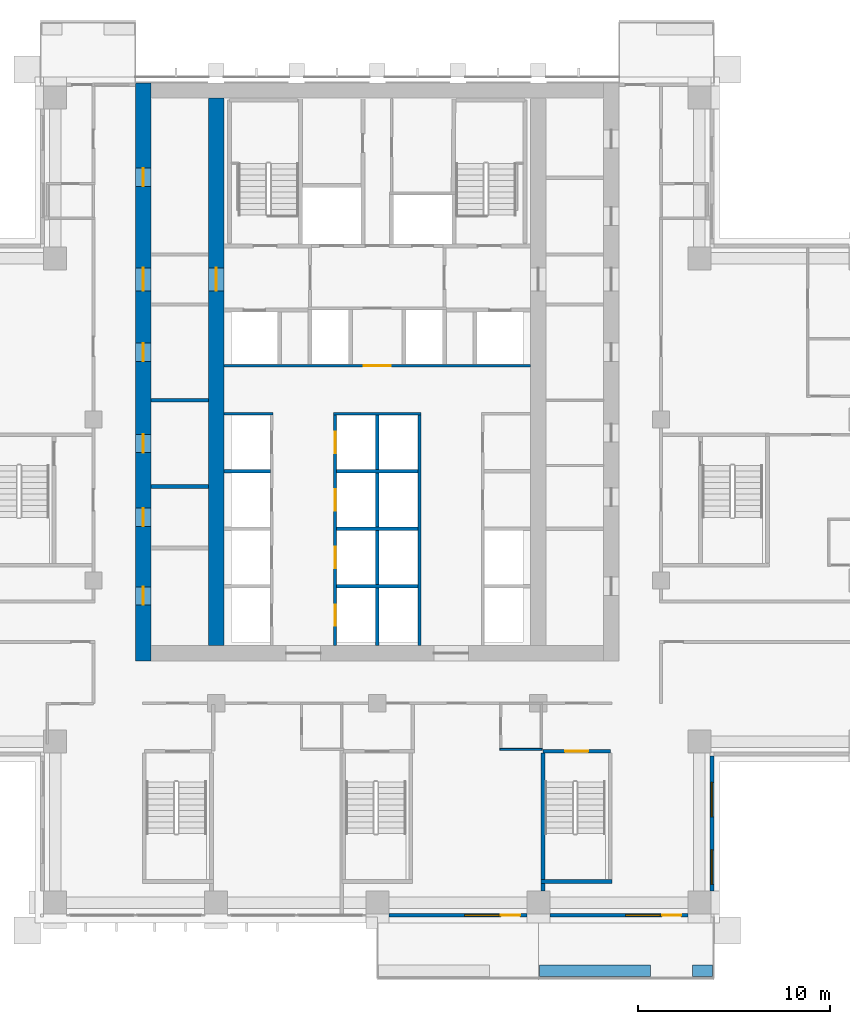
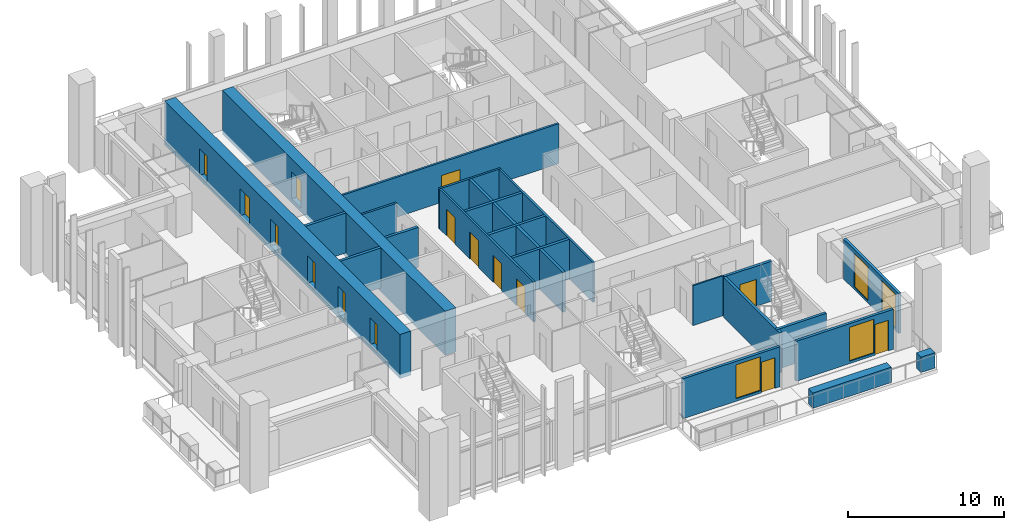
# One storey, part 10 of 19: 23 walls, 15 doors, 4 windows, 19 openings.
"""IFC4 building model written with IfcOpenShell, lengths in metres."""

from ifc_helpers import new_model, si_unit, direction, frame, frame_2d, origin, place, context, subcontext, project, spatial, rectangle, extrude, material, layer, layer_set, type_object, element, fill, save


model = new_model("IFC4")

# Units and contexts
model_context = context("Model", 3, precision=1e-05, world=origin(), true_north=direction((0.0, 1.0)))
body_context = subcontext(model_context, "Body", "Model", "MODEL_VIEW")
ifc_project = project(units=[si_unit("LENGTHUNIT", "METRE"), si_unit("AREAUNIT", "SQUARE_METRE"), si_unit("VOLUMEUNIT", "CUBIC_METRE"), si_unit("PLANEANGLEUNIT", "RADIAN"), si_unit("MASSUNIT", "GRAM", prefix="KILO")], contexts=[model_context])

# Site, building, storey
site_placement = place(None, origin())
site = spatial("IfcSite", under=ifc_project, at=site_placement, CompositionType="ELEMENT")
building_placement = place(site_placement, origin())
building = spatial("IfcBuilding", under=site, at=building_placement, Name="Vermilion Ogive Tower", CompositionType="ELEMENT")
storey_placement = place(building_placement, frame((0.0, 0.0, 90.75)))
storey = spatial("IfcBuildingStorey", under=building, at=storey_placement, Name="L22", CompositionType="ELEMENT", Elevation=90.75)

# Wall, openings, doors
ifc_material_1 = material(Name="Concrete B80", Category="concrete")
ifc_layer_1 = layer(ifc_material_1, 0.800048828125)
ifc_layer_set_1 = layer_set([ifc_layer_1], Name="Core wall 800 B80")
wall_type_1 = type_object("IfcWallType", Name="Core wall 800 B80", PredefinedType="SHEAR", material=ifc_layer_set_1)
wall_1_placement = place(storey_placement, frame((-12.199951171875, -8.39990234375, -0.320068359375), z_axis=(0.0, 0.0, 1.0), x_axis=(0.0, 1.0, 0.0)))
wall_1 = element("IfcWall", 1, at=wall_1_placement, inside=storey, type_object=wall_type_1, Name="L22-CORE-W", PredefinedType="SHEAR", context=body_context, shape_type="SweptSolid", body=[
    extrude(rectangle(XDim=30.14990234375, YDim=0.800048828125, at=frame_2d((15.074951171875, 0.0))), origin(), (0.0, 0.0, 1.0), 3.449951171875),
])
opening_1_placement = place(wall_1_placement, frame((2.925048828125, 0.0, 0.320068359375)))
opening_1 = element("IfcOpeningElement", 2, at=opening_1_placement, cuts=wall_1, Name="Opening DAD040", PredefinedType="OPENING", context=body_context, shape_type="SweptSolid", body=[
    extrude(rectangle(XDim=0.949951171875, YDim=2.10009765625, at=frame_2d((0.47509765625, 1.050048828125))), frame((0.0, 0.409912109375, 0.0), z_axis=(0.0, -1.0, 0.0), x_axis=(1.0, 0.0, 0.0)), (0.0, 0.0, 1.0), 0.820068359375),
])
opening_2_placement = place(wall_1_placement, frame((7.02490234375, 0.0, 0.320068359375)))
opening_2 = element("IfcOpeningElement", 3, at=opening_2_placement, cuts=wall_1, Name="Opening DAD041", PredefinedType="OPENING", context=body_context, shape_type="SweptSolid", body=[
    extrude(rectangle(XDim=0.949951171875, YDim=2.10009765625, at=frame_2d((0.47509765625, 1.050048828125))), frame((0.0, 0.409912109375, 0.0), z_axis=(0.0, -1.0, 0.0), x_axis=(1.0, 0.0, 0.0)), (0.0, 0.0, 1.0), 0.820068359375),
])
opening_3_placement = place(wall_1_placement, frame((10.875, 0.0, 0.320068359375)))
opening_3 = element("IfcOpeningElement", 4, at=opening_3_placement, cuts=wall_1, Name="Opening DAD042", PredefinedType="OPENING", context=body_context, shape_type="SweptSolid", body=[
    extrude(rectangle(XDim=0.949951171875, YDim=2.10009765625, at=frame_2d((0.47509765625, 1.050048828125))), frame((0.0, 0.409912109375, 0.0), z_axis=(0.0, -1.0, 0.0), x_axis=(1.0, 0.0, 0.0)), (0.0, 0.0, 1.0), 0.820068359375),
])
opening_4_placement = place(wall_1_placement, frame((15.625, 0.0, 0.320068359375)))
opening_4 = element("IfcOpeningElement", 5, at=opening_4_placement, cuts=wall_1, Name="Opening DAD043", PredefinedType="OPENING", context=body_context, shape_type="SweptSolid", body=[
    extrude(rectangle(XDim=0.949951171875, YDim=2.10009765625, at=frame_2d((0.47509765625, 1.050048828125))), frame((0.0, 0.409912109375, 0.0), z_axis=(0.0, -1.0, 0.0), x_axis=(1.0, 0.0, 0.0)), (0.0, 0.0, 1.0), 0.820068359375),
])
opening_5_placement = place(wall_1_placement, frame((24.75, 0.0, 0.320068359375)))
opening_5 = element("IfcOpeningElement", 6, at=opening_5_placement, cuts=wall_1, Name="Opening DAD044", PredefinedType="OPENING", context=body_context, shape_type="SweptSolid", body=[
    extrude(rectangle(XDim=0.949951171875, YDim=2.10009765625, at=frame_2d((0.47509765625, 1.050048828125))), frame((0.0, 0.409912109375, 0.0), z_axis=(0.0, -1.0, 0.0), x_axis=(1.0, 0.0, 0.0)), (0.0, 0.0, 1.0), 0.820068359375),
])
opening_6_placement = place(wall_1_placement, frame((19.300048828125, 0.0, 0.320068359375)))
opening_6 = element("IfcOpeningElement", 7, at=opening_6_placement, cuts=wall_1, Name="Opening DAM008", PredefinedType="OPENING", context=body_context, shape_type="SweptSolid", body=[
    extrude(rectangle(XDim=1.199951171875, YDim=2.10009765625, at=frame_2d((0.60009765625, 1.050048828125))), frame((0.0, 0.409912109375, 0.0), z_axis=(0.0, -1.0, 0.0), x_axis=(1.0, 0.0, 0.0)), (0.0, 0.0, 1.0), 0.820068359375),
])
ifc_material_2 = material(Name="Timber door leaf", Category="wood")
door_type_1 = type_object("IfcDoorType", Name="Link door 1200 x 2100 FD60S", OperationType="SINGLE_SWING_LEFT", PredefinedType="DOOR", material=ifc_material_2)
door_1_placement = place(opening_6_placement, origin())
door_1 = element("IfcDoor", 8, at=door_1_placement, inside=storey, type_object=door_type_1, Name="L22-CKW-XL", OperationType="SINGLE_SWING_LEFT", OverallHeight=2.10009765625, OverallWidth=1.199951171875, PredefinedType="DOOR", context=body_context, shape_type="SweptSolid", body=[
    extrude(rectangle(XDim=1.199951171875, YDim=2.10009765625, at=frame_2d((0.60009765625, 1.050048828125))), frame((0.0, 0.02490234375, 0.0), z_axis=(0.0, -1.0, 0.0), x_axis=(1.0, 0.0, 0.0)), (0.0, 0.0, 1.0), 0.050048828125),
])
fill(opening_6, door_1)
ifc_material_3 = material(Name="Timber door leaf", Category="wood")
door_type_2 = type_object("IfcDoorType", Name="Service door 950 x 2100 FD60", OperationType="SINGLE_SWING_LEFT", PredefinedType="DOOR", material=ifc_material_3)
door_2_placement = place(opening_1_placement, origin())
door_2 = element("IfcDoor", 9, at=door_2_placement, inside=storey, type_object=door_type_2, Name="L22-CKW-XR0", OperationType="SINGLE_SWING_LEFT", OverallHeight=2.10009765625, OverallWidth=0.949951171875, PredefinedType="DOOR", context=body_context, shape_type="SweptSolid", body=[
    extrude(rectangle(XDim=0.949951171875, YDim=2.10009765625, at=frame_2d((0.47509765625, 1.050048828125))), frame((0.0, 0.02490234375, 0.0), z_axis=(0.0, -1.0, 0.0), x_axis=(1.0, 0.0, 0.0)), (0.0, 0.0, 1.0), 0.050048828125),
])
fill(opening_1, door_2)
door_3_placement = place(opening_2_placement, origin())
door_3 = element("IfcDoor", 10, at=door_3_placement, inside=storey, type_object=door_type_2, Name="L22-CKW-XR1", OperationType="SINGLE_SWING_LEFT", OverallHeight=2.10009765625, OverallWidth=0.949951171875, PredefinedType="DOOR", context=body_context, shape_type="SweptSolid", body=[
    extrude(rectangle(XDim=0.949951171875, YDim=2.10009765625, at=frame_2d((0.47509765625, 1.050048828125))), frame((0.0, 0.02490234375, 0.0), z_axis=(0.0, -1.0, 0.0), x_axis=(1.0, 0.0, 0.0)), (0.0, 0.0, 1.0), 0.050048828125),
])
fill(opening_2, door_3)
door_4_placement = place(opening_3_placement, origin())
door_4 = element("IfcDoor", 11, at=door_4_placement, inside=storey, type_object=door_type_2, Name="L22-CKW-XR2", OperationType="SINGLE_SWING_LEFT", OverallHeight=2.10009765625, OverallWidth=0.949951171875, PredefinedType="DOOR", context=body_context, shape_type="SweptSolid", body=[
    extrude(rectangle(XDim=0.949951171875, YDim=2.10009765625, at=frame_2d((0.47509765625, 1.050048828125))), frame((0.0, 0.02490234375, 0.0), z_axis=(0.0, -1.0, 0.0), x_axis=(1.0, 0.0, 0.0)), (0.0, 0.0, 1.0), 0.050048828125),
])
fill(opening_3, door_4)
door_5_placement = place(opening_4_placement, origin())
door_5 = element("IfcDoor", 12, at=door_5_placement, inside=storey, type_object=door_type_2, Name="L22-CKW-XR3", OperationType="SINGLE_SWING_LEFT", OverallHeight=2.10009765625, OverallWidth=0.949951171875, PredefinedType="DOOR", context=body_context, shape_type="SweptSolid", body=[
    extrude(rectangle(XDim=0.949951171875, YDim=2.10009765625, at=frame_2d((0.47509765625, 1.050048828125))), frame((0.0, 0.02490234375, 0.0), z_axis=(0.0, -1.0, 0.0), x_axis=(1.0, 0.0, 0.0)), (0.0, 0.0, 1.0), 0.050048828125),
])
fill(opening_4, door_5)
door_6_placement = place(opening_5_placement, origin())
door_6 = element("IfcDoor", 13, at=door_6_placement, inside=storey, type_object=door_type_2, Name="L22-CKW-XR4", OperationType="SINGLE_SWING_LEFT", OverallHeight=2.10009765625, OverallWidth=0.949951171875, PredefinedType="DOOR", context=body_context, shape_type="SweptSolid", body=[
    extrude(rectangle(XDim=0.949951171875, YDim=2.10009765625, at=frame_2d((0.47509765625, 1.050048828125))), frame((0.0, 0.02490234375, 0.0), z_axis=(0.0, -1.0, 0.0), x_axis=(1.0, 0.0, 0.0)), (0.0, 0.0, 1.0), 0.050048828125),
])
fill(opening_5, door_6)

# Wall, opening, door
wall_2_placement = place(storey_placement, frame((-8.39990234375, -7.60009765625, -0.320068359375), z_axis=(0.0, 0.0, 1.0), x_axis=(0.0, 1.0, 0.0)))
wall_2 = element("IfcWall", 14, at=wall_2_placement, inside=storey, type_object=wall_type_1, Name="L22-CORE-WEB1", PredefinedType="SHEAR", context=body_context, shape_type="SweptSolid", body=[
    extrude(rectangle(XDim=28.550048828125, YDim=0.800048828125, at=frame_2d((14.27490234375, 0.0))), origin(), (0.0, 0.0, 1.0), 3.449951171875),
])
opening_7_placement = place(wall_2_placement, frame((18.5, 0.0, 0.320068359375)))
opening_7 = element("IfcOpeningElement", 15, at=opening_7_placement, cuts=wall_2, Name="Opening DAP008", PredefinedType="OPENING", context=body_context, shape_type="SweptSolid", body=[
    extrude(rectangle(XDim=1.199951171875, YDim=2.10009765625, at=frame_2d((0.60009765625, 1.050048828125))), frame((0.0, 0.409912109375, 0.0), z_axis=(0.0, -1.0, 0.0), x_axis=(1.0, 0.0, 0.0)), (0.0, 0.0, 1.0), 0.820068359375),
])
door_7_placement = place(opening_7_placement, origin())
door_7 = element("IfcDoor", 16, at=door_7_placement, inside=storey, type_object=door_type_1, Name="L22-CKW-XW", OperationType="SINGLE_SWING_LEFT", OverallHeight=2.10009765625, OverallWidth=1.199951171875, PredefinedType="DOOR", context=body_context, shape_type="SweptSolid", body=[
    extrude(rectangle(XDim=1.199951171875, YDim=2.10009765625, at=frame_2d((0.60009765625, 1.050048828125))), frame((0.0, 0.02490234375, 0.0), z_axis=(0.0, -1.0, 0.0), x_axis=(1.0, 0.0, 0.0)), (0.0, 0.0, 1.0), 0.050048828125),
])
fill(opening_7, door_7)

# Walls
ifc_material_4 = material(Name="Gypsum board partition on steel studs", Category="steel")
ifc_layer_2 = layer(ifc_material_4, 0.10009765625)
ifc_layer_set_2 = layer_set([ifc_layer_2], Name="Partition 100 bath")
wall_type_2 = type_object("IfcWallType", Name="Partition 100 bath", PredefinedType="PARTITIONING", material=ifc_layer_set_2)
wall_3_placement = place(storey_placement, frame((6.39990234375, -13.0, 0.0), z_axis=(0.0, 0.0, 1.0), x_axis=(1.0, 0.0, 0.0)))
element("IfcWall", 17, at=wall_3_placement, inside=storey, type_object=wall_type_2, Name="L22-W-W006", PredefinedType="PARTITIONING", context=body_context, shape_type="SweptSolid", body=[
    extrude(rectangle(XDim=2.2001953125, YDim=0.10009765625, at=frame_2d((1.10009765625, 0.0))), origin(), (0.0, 0.0, 1.0), 3.1298828125),
])
ifc_material_5 = material(Name="Gypsum board partition on steel studs", Category="steel")
ifc_layer_3 = layer(ifc_material_5, 0.14990234375)
ifc_layer_set_3 = layer_set([ifc_layer_3], Name="Partition 150 corridor")
wall_type_3 = type_object("IfcWallType", Name="Partition 150 corridor", PredefinedType="PARTITIONING", material=ifc_layer_set_3)
wall_4_placement = place(storey_placement, frame((-7.9990234375, 4.5, 0.0), z_axis=(0.0, 0.0, 1.0), x_axis=(1.0, 0.0, 0.0)))
element("IfcWall", 18, at=wall_4_placement, inside=storey, type_object=wall_type_3, Name="L22-CK-W-W010", PredefinedType="PARTITIONING", context=body_context, shape_type="SweptSolid", body=[
    extrude(rectangle(XDim=2.573974609375, YDim=0.14990234375, at=frame_2d((1.287109375, 0.0))), origin(), (0.0, 0.0, 1.0), 3.1298828125),
])
wall_5_placement = place(storey_placement, frame((-2.27490234375, 4.5, 0.0), z_axis=(0.0, 0.0, 1.0), x_axis=(1.0, 0.0, 0.0)))
element("IfcWall", 19, at=wall_5_placement, inside=storey, type_object=wall_type_3, Name="L22-CK-W-W011", PredefinedType="PARTITIONING", context=body_context, shape_type="SweptSolid", body=[
    extrude(rectangle(XDim=4.5498046875, YDim=0.14990234375, at=frame_2d((2.27490234375, 0.0))), origin(), (0.0, 0.0, 1.0), 3.1298828125),
])

# Wall, opening, door
wall_6_placement = place(storey_placement, frame((-7.9990234375, 7.0, 0.0), z_axis=(0.0, 0.0, 1.0), x_axis=(1.0, 0.0, 0.0)))
wall_6 = element("IfcWall", 20, at=wall_6_placement, inside=storey, type_object=wall_type_3, Name="L22-CK-W-W013", PredefinedType="PARTITIONING", context=body_context, shape_type="SweptSolid", body=[
    extrude(rectangle(XDim=15.998046875, YDim=0.14990234375, at=frame_2d((7.9990234375, 0.0))), origin(), (0.0, 0.0, 1.0), 3.1298828125),
])
opening_8_placement = place(wall_6_placement, frame((7.299072265625, 0.0, 0.0)))
opening_8 = element("IfcOpeningElement", 21, at=opening_8_placement, cuts=wall_6, Name="Opening DAA163", PredefinedType="OPENING", context=body_context, shape_type="SweptSolid", body=[
    extrude(rectangle(XDim=1.39990234375, YDim=2.10009765625, at=frame_2d((0.699951171875, 1.050048828125))), frame((0.0, 0.0849609375, 0.0), z_axis=(0.0, -1.0, 0.0), x_axis=(1.0, 0.0, 0.0)), (0.0, 0.0, 1.0), 0.169921875),
])
ifc_material_6 = material(Name="Timber door leaf", Category="wood")
door_type_3 = type_object("IfcDoorType", Name="Lobby door 1400 x 2100 FD60S", OperationType="SINGLE_SWING_LEFT", PredefinedType="DOOR", material=ifc_material_6)
door_8_placement = place(opening_8_placement, origin())
door_8 = element("IfcDoor", 22, at=door_8_placement, inside=storey, type_object=door_type_3, Name="L22-CK-D-D015", OperationType="SINGLE_SWING_RIGHT", OverallHeight=2.10009765625, OverallWidth=1.39990234375, PredefinedType="DOOR", context=body_context, shape_type="SweptSolid", body=[
    extrude(rectangle(XDim=1.39990234375, YDim=2.10009765625, at=frame_2d((0.699951171875, 1.050048828125))), frame((0.0, 0.02490234375, 0.0), z_axis=(0.0, -1.0, 0.0), x_axis=(1.0, 0.0, 0.0)), (0.0, 0.0, 1.0), 0.050048828125),
])
fill(opening_8, door_8)

# Wall, openings, doors
wall_7_placement = place(storey_placement, frame((-2.199951171875, -7.59912109375, 0.0), z_axis=(0.0, 0.0, 1.0), x_axis=(0.0, 1.0, 0.0)))
wall_7 = element("IfcWall", 23, at=wall_7_placement, inside=storey, type_object=wall_type_3, Name="L22-CK-W-W027", PredefinedType="PARTITIONING", context=body_context, shape_type="SweptSolid", body=[
    extrude(rectangle(XDim=12.024169921875, YDim=0.14990234375, at=frame_2d((6.01220703125, 0.0))), origin(), (0.0, 0.0, 1.0), 3.1298828125),
])
opening_9_placement = place(wall_7_placement, frame((1.049072265625, 0.0, 0.0)))
opening_9 = element("IfcOpeningElement", 24, at=opening_9_placement, cuts=wall_7, Name="Opening DAA178", PredefinedType="OPENING", context=body_context, shape_type="SweptSolid", body=[
    extrude(rectangle(XDim=1.10009765625, YDim=2.10009765625, at=frame_2d((0.550048828125, 1.050048828125))), frame((0.0, 0.0849609375, 0.0), z_axis=(0.0, -1.0, 0.0), x_axis=(1.0, 0.0, 0.0)), (0.0, 0.0, 1.0), 0.169921875),
])
opening_10_placement = place(wall_7_placement, frame((4.049072265625, 0.0, 0.0)))
opening_10 = element("IfcOpeningElement", 25, at=opening_10_placement, cuts=wall_7, Name="Opening DAA179", PredefinedType="OPENING", context=body_context, shape_type="SweptSolid", body=[
    extrude(rectangle(XDim=1.10009765625, YDim=2.10009765625, at=frame_2d((0.550048828125, 1.050048828125))), frame((0.0, 0.0849609375, 0.0), z_axis=(0.0, -1.0, 0.0), x_axis=(1.0, 0.0, 0.0)), (0.0, 0.0, 1.0), 0.169921875),
])
opening_11_placement = place(wall_7_placement, frame((7.049072265625, 0.0, 0.0)))
opening_11 = element("IfcOpeningElement", 26, at=opening_11_placement, cuts=wall_7, Name="Opening DAA180", PredefinedType="OPENING", context=body_context, shape_type="SweptSolid", body=[
    extrude(rectangle(XDim=1.10009765625, YDim=2.10009765625, at=frame_2d((0.550048828125, 1.050048828125))), frame((0.0, 0.0849609375, 0.0), z_axis=(0.0, -1.0, 0.0), x_axis=(1.0, 0.0, 0.0)), (0.0, 0.0, 1.0), 0.169921875),
])
opening_12_placement = place(wall_7_placement, frame((10.049072265625, 0.0, 0.0)))
opening_12 = element("IfcOpeningElement", 27, at=opening_12_placement, cuts=wall_7, Name="Opening DAA181", PredefinedType="OPENING", context=body_context, shape_type="SweptSolid", body=[
    extrude(rectangle(XDim=1.10009765625, YDim=2.10009765625, at=frame_2d((0.550048828125, 1.050048828125))), frame((0.0, 0.0849609375, 0.0), z_axis=(0.0, -1.0, 0.0), x_axis=(1.0, 0.0, 0.0)), (0.0, 0.0, 1.0), 0.169921875),
])
ifc_material_7 = material(Name="Stainless steel", Category="steel")
door_type_4 = type_object("IfcDoorType", Name="Lift landing door 1100 x 2100", OperationType="SLIDING_TO_LEFT", PredefinedType="DOOR", material=ifc_material_7)
door_9_placement = place(opening_9_placement, origin())
door_9 = element("IfcDoor", 28, at=door_9_placement, inside=storey, type_object=door_type_4, Name="L22-CK-D-D005", OperationType="SLIDING_TO_LEFT", OverallHeight=2.10009765625, OverallWidth=1.10009765625, PredefinedType="DOOR", context=body_context, shape_type="SweptSolid", body=[
    extrude(rectangle(XDim=1.10009765625, YDim=2.10009765625, at=frame_2d((0.550048828125, 1.050048828125))), frame((0.0, 0.02490234375, 0.0), z_axis=(0.0, -1.0, 0.0), x_axis=(1.0, 0.0, 0.0)), (0.0, 0.0, 1.0), 0.050048828125),
])
fill(opening_9, door_9)
door_10_placement = place(opening_10_placement, origin())
door_10 = element("IfcDoor", 29, at=door_10_placement, inside=storey, type_object=door_type_4, Name="L22-CK-D-D006", OperationType="SLIDING_TO_LEFT", OverallHeight=2.10009765625, OverallWidth=1.10009765625, PredefinedType="DOOR", context=body_context, shape_type="SweptSolid", body=[
    extrude(rectangle(XDim=1.10009765625, YDim=2.10009765625, at=frame_2d((0.550048828125, 1.050048828125))), frame((0.0, 0.02490234375, 0.0), z_axis=(0.0, -1.0, 0.0), x_axis=(1.0, 0.0, 0.0)), (0.0, 0.0, 1.0), 0.050048828125),
])
fill(opening_10, door_10)
door_11_placement = place(opening_11_placement, origin())
door_11 = element("IfcDoor", 30, at=door_11_placement, inside=storey, type_object=door_type_4, Name="L22-CK-D-D007", OperationType="SLIDING_TO_LEFT", OverallHeight=2.10009765625, OverallWidth=1.10009765625, PredefinedType="DOOR", context=body_context, shape_type="SweptSolid", body=[
    extrude(rectangle(XDim=1.10009765625, YDim=2.10009765625, at=frame_2d((0.550048828125, 1.050048828125))), frame((0.0, 0.02490234375, 0.0), z_axis=(0.0, -1.0, 0.0), x_axis=(1.0, 0.0, 0.0)), (0.0, 0.0, 1.0), 0.050048828125),
])
fill(opening_11, door_11)
door_12_placement = place(opening_12_placement, origin())
door_12 = element("IfcDoor", 31, at=door_12_placement, inside=storey, type_object=door_type_4, Name="L22-CK-D-D008", OperationType="SLIDING_TO_LEFT", OverallHeight=2.10009765625, OverallWidth=1.10009765625, PredefinedType="DOOR", context=body_context, shape_type="SweptSolid", body=[
    extrude(rectangle(XDim=1.10009765625, YDim=2.10009765625, at=frame_2d((0.550048828125, 1.050048828125))), frame((0.0, 0.02490234375, 0.0), z_axis=(0.0, -1.0, 0.0), x_axis=(1.0, 0.0, 0.0)), (0.0, 0.0, 1.0), 0.050048828125),
])
fill(opening_12, door_12)

# Walls
wall_8_placement = place(storey_placement, frame((2.199951171875, -7.59912109375, 0.0), z_axis=(0.0, 0.0, 1.0), x_axis=(0.0, 1.0, 0.0)))
element("IfcWall", 32, at=wall_8_placement, inside=storey, type_object=wall_type_3, Name="L22-CK-W-W034", PredefinedType="PARTITIONING", context=body_context, shape_type="SweptSolid", body=[
    extrude(rectangle(XDim=12.024169921875, YDim=0.14990234375, at=frame_2d((6.01220703125, 0.0))), origin(), (0.0, 0.0, 1.0), 3.1298828125),
])
ifc_material_8 = material(Name="Gypsum board partition on steel studs", Category="steel")
ifc_layer_4 = layer(ifc_material_8, 0.199951171875)
ifc_layer_set_4 = layer_set([ifc_layer_4], Name="Partition 200 party")
wall_type_4 = type_object("IfcWallType", Name="Partition 200 party", PredefinedType="PARTITIONING", material=ifc_layer_set_4)
for number, where, z_axis, x_axis, name in (
    (33, (-2.125, -4.5, 0.0), (0.0, 0.0, 1.0), (1.0, 0.0, 0.0), "L22-CK-W-W002"),
    (34, (-2.125, -1.5, 0.0), (0.0, 0.0, 1.0), (1.0, 0.0, 0.0), "L22-CK-W-W005"),
):
    element("IfcWall", number, at=place(storey_placement, frame(where, z_axis=z_axis, x_axis=x_axis)), inside=storey, type_object=wall_type_4, Name=name, PredefinedType="PARTITIONING", context=body_context, shape_type="SweptSolid", body=[
        extrude(rectangle(XDim=4.25, YDim=0.199951171875, at=frame_2d((2.125, 0.0))), origin(), (0.0, 0.0, 1.0), 3.1298828125),
    ])
wall_9_placement = place(storey_placement, frame((-7.9990234375, 1.5, 0.0), z_axis=(0.0, 0.0, 1.0), x_axis=(1.0, 0.0, 0.0)))
element("IfcWall", 35, at=wall_9_placement, inside=storey, type_object=wall_type_4, Name="L22-CK-W-W007", PredefinedType="PARTITIONING", context=body_context, shape_type="SweptSolid", body=[
    extrude(rectangle(XDim=2.424072265625, YDim=0.199951171875, at=frame_2d((1.2119140625, 0.0))), origin(), (0.0, 0.0, 1.0), 3.1298828125),
])
wall_10_placement = place(storey_placement, frame((-2.125, 1.5, 0.0), z_axis=(0.0, 0.0, 1.0), x_axis=(1.0, 0.0, 0.0)))
element("IfcWall", 36, at=wall_10_placement, inside=storey, type_object=wall_type_4, Name="L22-CK-W-W008", PredefinedType="PARTITIONING", context=body_context, shape_type="SweptSolid", body=[
    extrude(rectangle(XDim=4.25, YDim=0.199951171875, at=frame_2d((2.125, 0.0))), origin(), (0.0, 0.0, 1.0), 3.1298828125),
])
wall_11_placement = place(storey_placement, frame((0.0, -7.59912109375, 0.0), z_axis=(0.0, 0.0, 1.0), x_axis=(0.0, 1.0, 0.0)))
element("IfcWall", 37, at=wall_11_placement, inside=storey, type_object=wall_type_4, Name="L22-CK-W-W030", PredefinedType="PARTITIONING", context=body_context, shape_type="SweptSolid", body=[
    extrude(rectangle(XDim=12.024169921875, YDim=0.199951171875, at=frame_2d((6.01220703125, 0.0))), origin(), (0.0, 0.0, 1.0), 3.1298828125),
])
for number, where, z_axis, x_axis, name in (
    (38, (-11.799072265625, 0.699951171875, 0.0), (0.0, 0.0, 1.0), (1.0, 0.0, 0.0), "L22-CKW-W-W002"),
    (39, (-11.799072265625, 5.199951171875, 0.0), (0.0, 0.0, 1.0), (1.0, 0.0, 0.0), "L22-CKW-W-W003"),
):
    element("IfcWall", number, at=place(storey_placement, frame(where, z_axis=z_axis, x_axis=x_axis)), inside=storey, type_object=wall_type_4, Name=name, PredefinedType="PARTITIONING", context=body_context, shape_type="SweptSolid", body=[
        extrude(rectangle(XDim=2.998046875, YDim=0.199951171875, at=frame_2d((1.4990234375, 0.0))), origin(), (0.0, 0.0, 1.0), 3.1298828125),
    ])

# Wall, opening, door
ifc_material_9 = material(Name="Concrete B60", Category="concrete")
ifc_layer_5 = layer(ifc_material_9, 0.199951171875)
ifc_layer_set_5 = layer_set([ifc_layer_5], Name="Stair shaft wall 200 Concrete B60")
wall_type_5 = type_object("IfcWallType", Name="Stair shaft wall 200 Concrete B60", PredefinedType="SOLIDWALL", material=ifc_layer_set_5)
wall_12_placement = place(storey_placement, frame((8.64990234375, -13.10009765625, 0.0), z_axis=(0.0, 0.0, 1.0), x_axis=(1.0, 0.0, 0.0)))
wall_12 = element("IfcWall", 40, at=wall_12_placement, inside=storey, type_object=wall_type_5, Name="L22-W-W004", PredefinedType="SOLIDWALL", context=body_context, shape_type="SweptSolid", body=[
    extrude(rectangle(XDim=3.5, YDim=0.199951171875, at=frame_2d((1.75, 0.0))), origin(), (0.0, 0.0, 1.0), 3.1298828125),
])
opening_13_placement = place(wall_12_placement, frame((1.150146484375, 0.0, 0.0)))
opening_13 = element("IfcOpeningElement", 41, at=opening_13_placement, cuts=wall_12, Name="Opening D2G2027", PredefinedType="OPENING", context=body_context, shape_type="SweptSolid", body=[
    extrude(rectangle(XDim=1.199951171875, YDim=2.10009765625, at=frame_2d((0.60009765625, 1.050048828125))), frame((0.0, 0.10986328125, 0.0), z_axis=(0.0, -1.0, 0.0), x_axis=(1.0, 0.0, 0.0)), (0.0, 0.0, 1.0), 0.219970703125),
])
ifc_material_10 = material(Name="Timber door leaf", Category="wood")
door_type_5 = type_object("IfcDoorType", Name="Stair door 1200 x 2100 FD60S", OperationType="SINGLE_SWING_LEFT", PredefinedType="DOOR", material=ifc_material_10)
door_13_placement = place(opening_13_placement, origin())
door_13 = element("IfcDoor", 42, at=door_13_placement, inside=storey, type_object=door_type_5, Name="L22-D-D027", OperationType="SINGLE_SWING_RIGHT", OverallHeight=2.10009765625, OverallWidth=1.199951171875, PredefinedType="DOOR", context=body_context, shape_type="SweptSolid", body=[
    extrude(rectangle(XDim=1.199951171875, YDim=2.10009765625, at=frame_2d((0.60009765625, 1.050048828125))), frame((0.0, 0.02490234375, 0.0), z_axis=(0.0, -1.0, 0.0), x_axis=(1.0, 0.0, 0.0)), (0.0, 0.0, 1.0), 0.050048828125),
])
fill(opening_13, door_13)

# Walls
wall_13_placement = place(storey_placement, frame((8.550048828125, -19.89990234375, 0.0), z_axis=(0.0, 0.0, 1.0), x_axis=(1.0, 0.0, 0.0)))
element("IfcWall", 43, at=wall_13_placement, inside=storey, type_object=wall_type_5, Name="L22-SW-ST5-S1", PredefinedType="SOLIDWALL", context=body_context, shape_type="SweptSolid", body=[
    extrude(rectangle(XDim=3.699951171875, YDim=0.199951171875, at=frame_2d((1.85009765625, 0.0))), origin(), (0.0, 0.0, 1.0), 3.1298828125),
])
wall_14_placement = place(storey_placement, frame((8.64990234375, -20.39990234375, 0.0), z_axis=(0.0, 0.0, 1.0), x_axis=(0.0, 1.0, 0.0)))
element("IfcWall", 44, at=wall_14_placement, inside=storey, type_object=wall_type_5, Name="L22-SW-ST5-W1", PredefinedType="SOLIDWALL", context=body_context, shape_type="SweptSolid", body=[
    extrude(rectangle(XDim=7.199951171875, YDim=0.199951171875, at=frame_2d((3.60009765625, 0.0))), origin(), (0.0, 0.0, 1.0), 3.1298828125),
])
ifc_material_11 = material(Name="Concrete B40", Category="concrete")
ifc_layer_6 = layer(ifc_material_11, 0.60009765625)
ifc_layer_set_6 = layer_set([ifc_layer_6], Name="Structural planter")
wall_type_6 = type_object("IfcWallType", Name="Structural planter", PredefinedType="USERDEFINED", material=ifc_layer_set_6)
wall_15_placement = place(storey_placement, frame((8.4599609375, -24.550048828125, -0.0400390625), z_axis=(0.0, 0.0, 1.0), x_axis=(1.0, 0.0, 0.0)))
element("IfcWall", 45, at=wall_15_placement, inside=storey, type_object=wall_type_6, Name="Planter S04A1", ObjectType="PLANTER", PredefinedType="USERDEFINED", context=body_context, shape_type="SweptSolid", body=[
    extrude(rectangle(XDim=5.7900390625, YDim=0.60009765625, at=frame_2d((2.89501953125, 0.0))), origin(), (0.0, 0.0, 1.0), 1.199951171875),
])
wall_16_placement = place(storey_placement, frame((16.449951171875, -24.550048828125, -0.0400390625), z_axis=(0.0, 0.0, 1.0), x_axis=(1.0, 0.0, 0.0)))
element("IfcWall", 46, at=wall_16_placement, inside=storey, type_object=wall_type_6, Name="Planter S04A2", ObjectType="PLANTER", PredefinedType="USERDEFINED", context=body_context, shape_type="SweptSolid", body=[
    extrude(rectangle(XDim=1.0400390625, YDim=0.60009765625, at=frame_2d((0.52001953125, 0.0))), origin(), (0.0, 0.0, 1.0), 1.199951171875),
])

# Wall, openings, door, window
ifc_material_12 = material(Name="Aluminium window wall framing", Category="aluminium")
ifc_layer_7 = layer(ifc_material_12, 0.199951171875)
ifc_layer_set_7 = layer_set([ifc_layer_7], Name="Window wall")
wall_type_7 = type_object("IfcWallType", Name="Window wall", PredefinedType="STANDARD", material=ifc_layer_set_7)
wall_17_placement = place(storey_placement, frame((0.60009765625, -21.64990234375, 0.0), z_axis=(0.0, 0.0, 1.0), x_axis=(1.0, 0.0, 0.0)))
wall_17 = element("IfcWall", 47, at=wall_17_placement, inside=storey, type_object=wall_type_7, Name="Window wall S3", PredefinedType="STANDARD", context=body_context, shape_type="SweptSolid", body=[
    extrude(rectangle(XDim=7.199951171875, YDim=0.199951171875, at=frame_2d((3.60009765625, 0.0))), origin(), (0.0, 0.0, 1.0), 3.1298828125),
])
opening_14_placement = place(wall_17_placement, frame((3.949951171875, 0.0, 0.199951171875)))
opening_14 = element("IfcOpeningElement", 48, at=opening_14_placement, cuts=wall_17, Name="Opening W1-S01", PredefinedType="OPENING", context=body_context, shape_type="SweptSolid", body=[
    extrude(rectangle(XDim=1.800048828125, YDim=2.64990234375, at=frame_2d((0.89990234375, 1.324951171875))), frame((0.0, 0.10986328125, 0.0), z_axis=(0.0, -1.0, 0.0), x_axis=(1.0, 0.0, 0.0)), (0.0, 0.0, 1.0), 0.219970703125),
])
opening_15_placement = place(wall_17_placement, frame((5.85009765625, 0.0, 0.0)))
opening_15 = element("IfcOpeningElement", 49, at=opening_15_placement, cuts=wall_17, Name="Opening D1-S01", PredefinedType="OPENING", context=body_context, shape_type="SweptSolid", body=[
    extrude(rectangle(XDim=1.0, YDim=2.39990234375, at=frame_2d((0.5, 1.199951171875))), frame((0.0, 0.10986328125, 0.0), z_axis=(0.0, -1.0, 0.0), x_axis=(1.0, 0.0, 0.0)), (0.0, 0.0, 1.0), 0.219970703125),
])
ifc_material_13 = material(Name="Aluminium framed glazed door", Category="aluminium")
door_type_6 = type_object("IfcDoorType", Name="Balcony door D1", OperationType="SINGLE_SWING_LEFT", PredefinedType="DOOR", material=ifc_material_13)
door_14_placement = place(opening_15_placement, origin())
door_14 = element("IfcDoor", 50, at=door_14_placement, inside=storey, type_object=door_type_6, Name="Balcony door S01", OperationType="SINGLE_SWING_LEFT", OverallHeight=2.39990234375, OverallWidth=1.0, PredefinedType="DOOR", context=body_context, shape_type="SweptSolid", body=[
    extrude(rectangle(XDim=1.0, YDim=2.39990234375, at=frame_2d((0.5, 1.199951171875))), frame((0.0, 0.02490234375, 0.0), z_axis=(0.0, -1.0, 0.0), x_axis=(1.0, 0.0, 0.0)), (0.0, 0.0, 1.0), 0.050048828125),
])
fill(opening_15, door_14)
ifc_material_14 = material(Name="Aluminium framed double glazing", Category="aluminium")
window_type = type_object("IfcWindowType", Name="Guest window W1", PartitioningType="SINGLE_PANEL", PredefinedType="WINDOW", material=ifc_material_14)
window_1_placement = place(opening_14_placement, origin())
window_1 = element("IfcWindow", 51, at=window_1_placement, inside=storey, type_object=window_type, Name="Window S01", OverallHeight=2.64990234375, OverallWidth=1.800048828125, PartitioningType="SINGLE_PANEL", PredefinedType="WINDOW", context=body_context, shape_type="SweptSolid", body=[
    extrude(rectangle(XDim=1.800048828125, YDim=2.64990234375, at=frame_2d((0.89990234375, 1.324951171875))), frame((0.0, 0.030029296875, 0.0), z_axis=(0.0, -1.0, 0.0), x_axis=(1.0, 0.0, 0.0)), (0.0, 0.0, 1.0), 0.06005859375),
])
fill(opening_14, window_1)

wall_18_placement = place(storey_placement, frame((9.0, -21.64990234375, 0.0), z_axis=(0.0, 0.0, 1.0), x_axis=(1.0, 0.0, 0.0)))
wall_18 = element("IfcWall", 52, at=wall_18_placement, inside=storey, type_object=wall_type_7, Name="Window wall S4", PredefinedType="STANDARD", context=body_context, shape_type="SweptSolid", body=[
    extrude(rectangle(XDim=7.199951171875, YDim=0.199951171875, at=frame_2d((3.60009765625, 0.0))), origin(), (0.0, 0.0, 1.0), 3.1298828125),
])
opening_16_placement = place(wall_18_placement, frame((3.949951171875, 0.0, 0.199951171875)))
opening_16 = element("IfcOpeningElement", 53, at=opening_16_placement, cuts=wall_18, Name="Opening W1-S03", PredefinedType="OPENING", context=body_context, shape_type="SweptSolid", body=[
    extrude(rectangle(XDim=1.800048828125, YDim=2.64990234375, at=frame_2d((0.89990234375, 1.324951171875))), frame((0.0, 0.10986328125, 0.0), z_axis=(0.0, -1.0, 0.0), x_axis=(1.0, 0.0, 0.0)), (0.0, 0.0, 1.0), 0.219970703125),
])
opening_17_placement = place(wall_18_placement, frame((5.85009765625, 0.0, 0.0)))
opening_17 = element("IfcOpeningElement", 54, at=opening_17_placement, cuts=wall_18, Name="Opening D1-S03", PredefinedType="OPENING", context=body_context, shape_type="SweptSolid", body=[
    extrude(rectangle(XDim=1.0, YDim=2.39990234375, at=frame_2d((0.5, 1.199951171875))), frame((0.0, 0.10986328125, 0.0), z_axis=(0.0, -1.0, 0.0), x_axis=(1.0, 0.0, 0.0)), (0.0, 0.0, 1.0), 0.219970703125),
])
door_15_placement = place(opening_17_placement, origin())
door_15 = element("IfcDoor", 55, at=door_15_placement, inside=storey, type_object=door_type_6, Name="Balcony door S03", OperationType="SINGLE_SWING_LEFT", OverallHeight=2.39990234375, OverallWidth=1.0, PredefinedType="DOOR", context=body_context, shape_type="SweptSolid", body=[
    extrude(rectangle(XDim=1.0, YDim=2.39990234375, at=frame_2d((0.5, 1.199951171875))), frame((0.0, 0.02490234375, 0.0), z_axis=(0.0, -1.0, 0.0), x_axis=(1.0, 0.0, 0.0)), (0.0, 0.0, 1.0), 0.050048828125),
])
fill(opening_17, door_15)
window_2_placement = place(opening_16_placement, origin())
window_2 = element("IfcWindow", 56, at=window_2_placement, inside=storey, type_object=window_type, Name="Window S03", OverallHeight=2.64990234375, OverallWidth=1.800048828125, PartitioningType="SINGLE_PANEL", PredefinedType="WINDOW", context=body_context, shape_type="SweptSolid", body=[
    extrude(rectangle(XDim=1.800048828125, YDim=2.64990234375, at=frame_2d((0.89990234375, 1.324951171875))), frame((0.0, 0.030029296875, 0.0), z_axis=(0.0, -1.0, 0.0), x_axis=(1.0, 0.0, 0.0)), (0.0, 0.0, 1.0), 0.06005859375),
])
fill(opening_16, window_2)

# Wall, openings, windows
wall_19_placement = place(storey_placement, frame((17.449951171875, -20.39990234375, 0.0), z_axis=(0.0, 0.0, 1.0), x_axis=(0.0, 1.0, 0.0)))
wall_19 = element("IfcWall", 57, at=wall_19_placement, inside=storey, type_object=wall_type_7, Name="Window wall X11", PredefinedType="STANDARD", context=body_context, shape_type="SweptSolid", body=[
    extrude(rectangle(XDim=7.0498046875, YDim=0.199951171875, at=frame_2d((3.52490234375, 0.0))), origin(), (0.0, 0.0, 1.0), 3.1298828125),
])
opening_18_placement = place(wall_19_placement, frame((0.35009765625, 0.0, 0.199951171875)))
opening_18 = element("IfcOpeningElement", 58, at=opening_18_placement, cuts=wall_19, Name="Opening W1-X195", PredefinedType="OPENING", context=body_context, shape_type="SweptSolid", body=[
    extrude(rectangle(XDim=1.800048828125, YDim=2.64990234375, at=frame_2d((0.89990234375, 1.324951171875))), frame((0.0, 0.10986328125, 0.0), z_axis=(0.0, -1.0, 0.0), x_axis=(1.0, 0.0, 0.0)), (0.0, 0.0, 1.0), 0.219970703125),
])
opening_19_placement = place(wall_19_placement, frame((3.875, 0.0, 0.199951171875)))
opening_19 = element("IfcOpeningElement", 59, at=opening_19_placement, cuts=wall_19, Name="Opening W1-X196", PredefinedType="OPENING", context=body_context, shape_type="SweptSolid", body=[
    extrude(rectangle(XDim=1.800048828125, YDim=2.64990234375, at=frame_2d((0.89990234375, 1.324951171875))), frame((0.0, 0.10986328125, 0.0), z_axis=(0.0, -1.0, 0.0), x_axis=(1.0, 0.0, 0.0)), (0.0, 0.0, 1.0), 0.219970703125),
])
window_3_placement = place(opening_18_placement, origin())
window_3 = element("IfcWindow", 60, at=window_3_placement, inside=storey, type_object=window_type, Name="Window X195", OverallHeight=2.64990234375, OverallWidth=1.800048828125, PartitioningType="SINGLE_PANEL", PredefinedType="WINDOW", context=body_context, shape_type="SweptSolid", body=[
    extrude(rectangle(XDim=1.800048828125, YDim=2.64990234375, at=frame_2d((0.89990234375, 1.324951171875))), frame((0.0, 0.030029296875, 0.0), z_axis=(0.0, -1.0, 0.0), x_axis=(1.0, 0.0, 0.0)), (0.0, 0.0, 1.0), 0.06005859375),
])
fill(opening_18, window_3)
window_4_placement = place(opening_19_placement, origin())
window_4 = element("IfcWindow", 61, at=window_4_placement, inside=storey, type_object=window_type, Name="Window X196", OverallHeight=2.64990234375, OverallWidth=1.800048828125, PartitioningType="SINGLE_PANEL", PredefinedType="WINDOW", context=body_context, shape_type="SweptSolid", body=[
    extrude(rectangle(XDim=1.800048828125, YDim=2.64990234375, at=frame_2d((0.89990234375, 1.324951171875))), frame((0.0, 0.030029296875, 0.0), z_axis=(0.0, -1.0, 0.0), x_axis=(1.0, 0.0, 0.0)), (0.0, 0.0, 1.0), 0.06005859375),
])
fill(opening_19, window_4)

save(model, "model.ifc")
